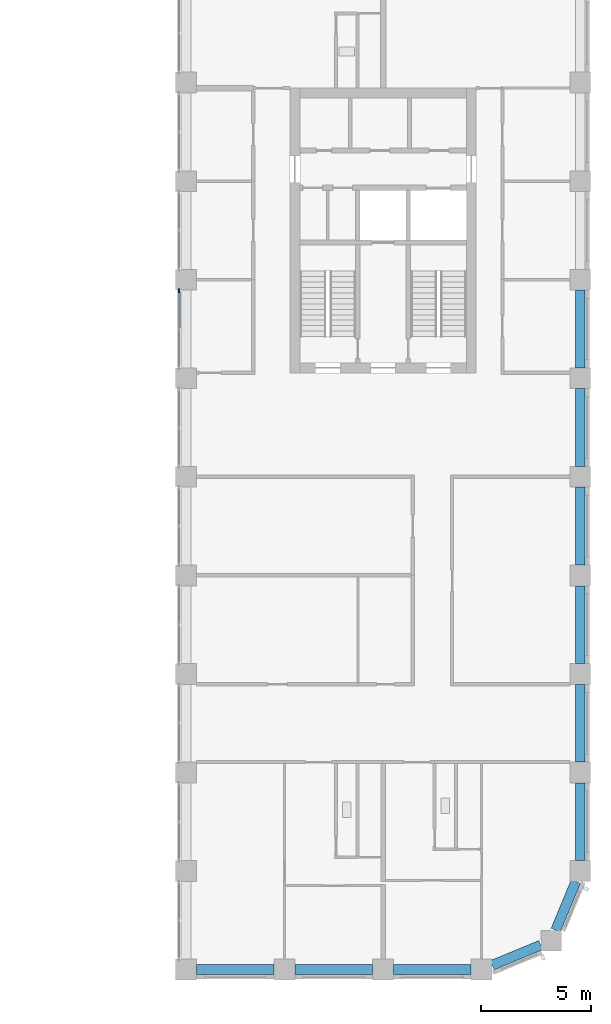
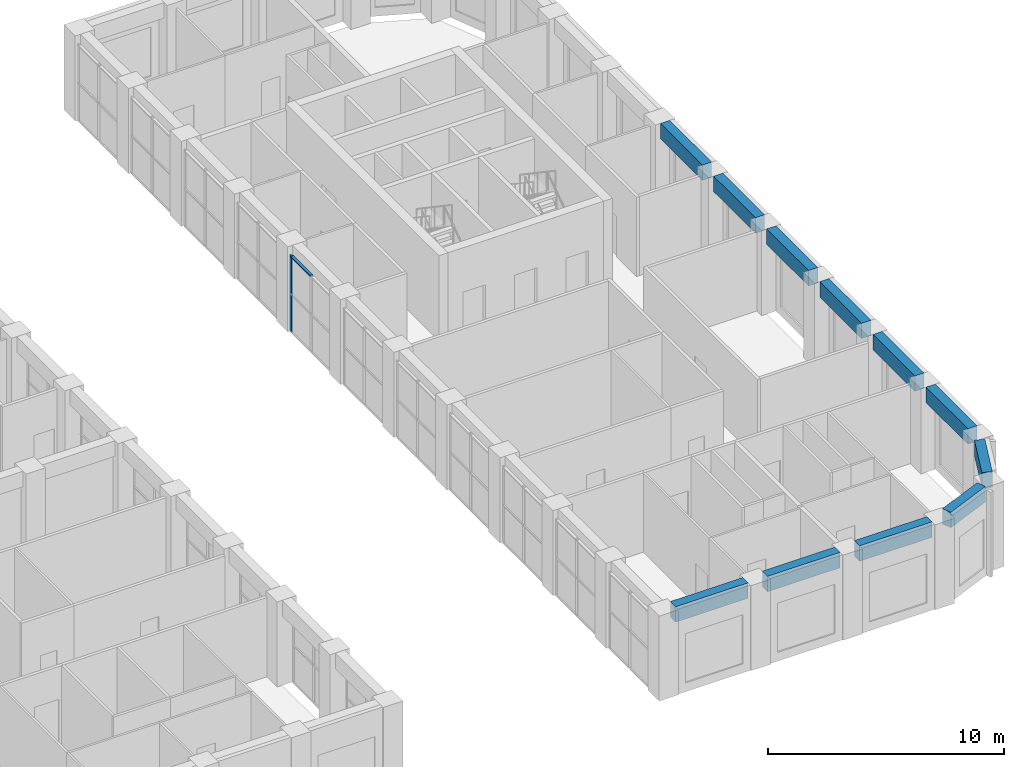
# One storey, part 4 of 19: 11 beams, 2 members, 1 element without a shape of its own.
"""IFC4 building model written with IfcOpenShell, lengths in metres."""

from ifc_helpers import new_model, si_unit, direction, frame, origin, origin_2d, place, context, subcontext, project, spatial, rectangle, extrude, material, material_profile, profile_set, type_object, element, aggregate, save


model = new_model("IFC4")

# Units and contexts
model_context = context("Model", 3, precision=1e-05, world=origin(), true_north=direction((0.0, 1.0)))
body_context = subcontext(model_context, "Body", "Model", "MODEL_VIEW")
ifc_project = project(units=[si_unit("LENGTHUNIT", "METRE"), si_unit("AREAUNIT", "SQUARE_METRE"), si_unit("VOLUMEUNIT", "CUBIC_METRE"), si_unit("PLANEANGLEUNIT", "RADIAN"), si_unit("MASSUNIT", "GRAM", prefix="KILO")], contexts=[model_context])

# Site, building, storey
site_placement = place(None, origin())
site = spatial("IfcSite", under=ifc_project, at=site_placement, CompositionType="ELEMENT")
building_placement = place(site_placement, origin())
building = spatial("IfcBuilding", under=site, at=building_placement, Name="Girih Gate Residences", CompositionType="ELEMENT")
storey_placement = place(building_placement, frame((0.0, 0.0, 163.800048828125)))
storey = spatial("IfcBuildingStorey", under=building, at=storey_placement, Name="L45", CompositionType="ELEMENT", Elevation=163.800048828125)

# Curtain wall, members
ifc_material_1 = material(Name="Aluminium curtain wall frame", Category="aluminium")
curtain_wall_type = type_object("IfcCurtainWallType", Name="Curtain wall CW-7 portal lounge glazing", PredefinedType="NOTDEFINED", material=ifc_material_1)
curtain_wall_placement = place(storey_placement, origin())
curtain_wall = element("IfcCurtainWall", 1, at=curtain_wall_placement, inside=storey, type_object=curtain_wall_type, Name="CW-7 Portal lounge glazing W0315_0495.4", PredefinedType="NOTDEFINED")
ifc_material_profile_1 = material_profile(ifc_material_1, rectangle(XDim=0.06005859375, YDim=0.179931640625, at=origin_2d()))
ifc_profile_set_1 = profile_set([ifc_material_profile_1], Name="Aluminium curtain wall frame")
member_type_1 = type_object("IfcMemberType", Name="Curtain wall mullion 60x180", PredefinedType="MULLION", material=ifc_profile_set_1)
member_1_placement = place(storey_placement, frame((31.18505859375, 30.9951171875, 0.0), z_axis=(0.0, 0.0, 1.0), x_axis=(1.0, 0.0, 0.0)))
member_1 = element("IfcMember", 2, at=member_1_placement, type_object=member_type_1, Name="CW-7 mullion 1", PredefinedType="MULLION", context=body_context, shape_type="SweptSolid", body=[
    extrude(rectangle(XDim=0.06005859375, YDim=0.179931640625, at=origin_2d()), origin(), (0.0, 0.0, 1.0), 3.949951171875),
])
ifc_material_profile_2 = material_profile(ifc_material_1, rectangle(XDim=0.139892578125, YDim=0.06005859375, at=origin_2d()))
ifc_profile_set_2 = profile_set([ifc_material_profile_2], Name="Aluminium curtain wall frame")
member_type_2 = type_object("IfcMemberType", Name="Curtain wall transom 60x140", PredefinedType="USERDEFINED", material=ifc_profile_set_2)
member_2_placement = place(storey_placement, frame((31.18505859375, 30.965087890625, 3.919921875), z_axis=(0.0, -1.0, 0.0), x_axis=(1.0, 0.0, 0.0)))
member_2 = element("IfcMember", 3, at=member_2_placement, type_object=member_type_2, Name="CW-7 transom 1.3", ObjectType="TRANSOM", PredefinedType="USERDEFINED", context=body_context, shape_type="SweptSolid", body=[
    extrude(rectangle(XDim=0.139892578125, YDim=0.06005859375, at=origin_2d()), origin(), (0.0, 0.0, 1.0), 1.68505859375),
])
aggregate(curtain_wall, [member_1, member_2])

# Beams
ifc_material_2 = material(Name="Concrete C60/75", Category="concrete")
ifc_material_profile_3 = material_profile(ifc_material_2, rectangle(XDim=0.449951171875, YDim=0.800048828125, at=origin_2d()))
ifc_profile_set_3 = profile_set([ifc_material_profile_3], Name="Concrete C60/75")
beam_type = type_object("IfcBeamType", Name="Spandrel girder RC 450x800 Concrete C60/75", PredefinedType="BEAM", material=ifc_profile_set_3)
for number, where, z_axis, x_axis, name in (
    (4, (31.97509765625, 0.0, 4.0), (1.0, 0.0, 0.0), (0.0, 1.0, 0.0), "Spandrel girder SP-P8A-P9A L45"),
    (5, (36.47509765625, 0.0, 4.0), (1.0, 0.0, 0.0), (0.0, 1.0, 0.0), "Spandrel girder SP-P9A-P10A L45"),
    (6, (40.97509765625, 0.0, 4.0), (1.0, 0.0, 0.0), (0.0, 1.0, 0.0), "Spandrel girder SP-P10A-P11A L45"),
):
    element("IfcBeam", number, at=place(storey_placement, frame(where, z_axis=z_axis, x_axis=x_axis)), inside=storey, type_object=beam_type, Name=name, PredefinedType="BEAM", context=body_context, shape_type="SweptSolid", body=[
        extrude(rectangle(XDim=0.449951171875, YDim=0.800048828125, at=origin_2d()), origin(), (0.0, 0.0, 1.0), 3.5498046875),
    ])
for number, where, z_axis, x_axis, name in (
    (7, (45.47509765625, 0.19677734375, 4.0), (0.923870256451, 0.382705825988, 0.0), (-0.382705825988, 0.923870256451, 0.0), "Spandrel girder SP-P11A-P12ANW L45"),
    (8, (48.378662109375, 1.79296875, 4.0), (0.382705825988, 0.923870256451, 0.0), (-0.923870256451, 0.382705825988, 0.0), "Spandrel girder SP-P12ANW-P12B L45"),
):
    element("IfcBeam", number, at=place(storey_placement, frame(where, z_axis=z_axis, x_axis=x_axis)), inside=storey, type_object=beam_type, Name=name, PredefinedType="BEAM", context=body_context, shape_type="SweptSolid", body=[
        extrude(rectangle(XDim=0.449951171875, YDim=0.800048828125, at=origin_2d()), origin(), (0.0, 0.0, 1.0), 2.415771484375),
    ])
for number, where, z_axis, x_axis, name in (
    (9, (49.5, 4.97509765625, 4.0), (0.0, 1.0, 0.0), (-1.0, 0.0, 0.0), "Spandrel girder SP-P12B-P12C L45"),
    (10, (49.5, 9.47509765625, 4.0), (0.0, 1.0, 0.0), (-1.0, 0.0, 0.0), "Spandrel girder SP-P12C-P12D L45"),
    (11, (49.5, 13.97509765625, 4.0), (0.0, 1.0, 0.0), (-1.0, 0.0, 0.0), "Spandrel girder SP-P12D-P12E L45"),
    (12, (49.5, 18.47509765625, 4.0), (0.0, 1.0, 0.0), (-1.0, 0.0, 0.0), "Spandrel girder SP-P12E-P12F L45"),
    (13, (49.5, 22.97509765625, 4.0), (0.0, 1.0, 0.0), (-1.0, 0.0, 0.0), "Spandrel girder SP-P12F-P12G L45"),
    (14, (49.5, 27.47509765625, 4.0), (0.0, 1.0, 0.0), (-1.0, 0.0, 0.0), "Spandrel girder SP-P12G-P12H L45"),
):
    element("IfcBeam", number, at=place(storey_placement, frame(where, z_axis=z_axis, x_axis=x_axis)), inside=storey, type_object=beam_type, Name=name, PredefinedType="BEAM", context=body_context, shape_type="SweptSolid", body=[
        extrude(rectangle(XDim=0.449951171875, YDim=0.800048828125, at=origin_2d()), origin(), (0.0, 0.0, 1.0), 3.5498046875),
    ])

save(model, "model.ifc")
